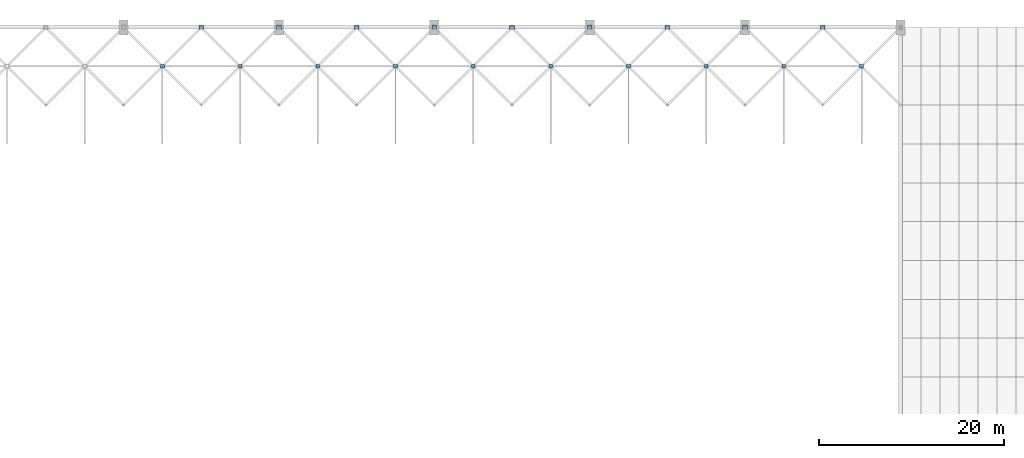
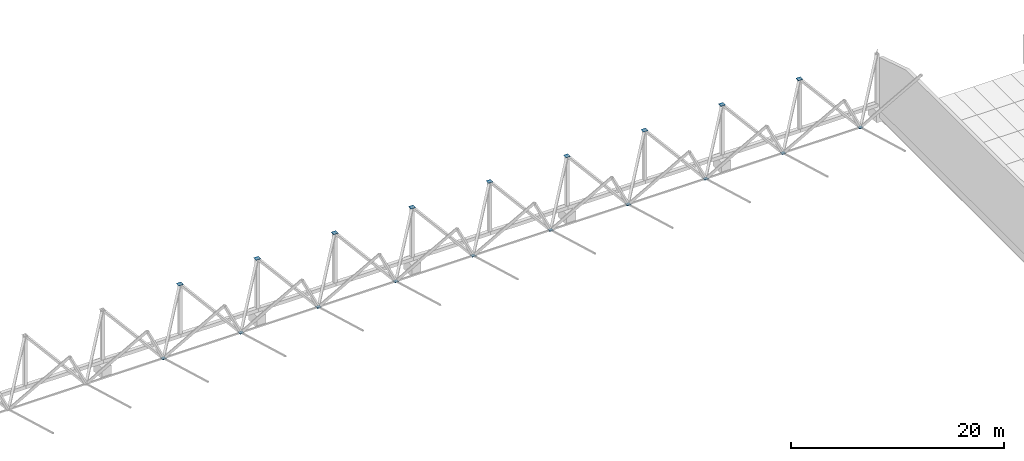
# One storey, part 145 of 163: 19 discrete accessories.
"""IFC4 building model written with IfcOpenShell, lengths in metres."""

from ifc_helpers import new_model, si_unit, direction, frame, origin, origin_2d, place, context, subcontext, project, spatial, rectangle, extrude, material, layer, layer_set, type_object, element, save


model = new_model("IFC4")

# Units and contexts
model_context = context("Model", 3, precision=1e-05, world=origin(), true_north=direction((0.0, 1.0)))
body_context = subcontext(model_context, "Body", "Model", "MODEL_VIEW")
ifc_project = project(units=[si_unit("LENGTHUNIT", "METRE"), si_unit("AREAUNIT", "SQUARE_METRE"), si_unit("VOLUMEUNIT", "CUBIC_METRE"), si_unit("PLANEANGLEUNIT", "RADIAN"), si_unit("MASSUNIT", "GRAM", prefix="KILO")], contexts=[model_context])

# Site, building, storey
site_placement = place(None, origin())
site = spatial("IfcSite", under=ifc_project, at=site_placement, CompositionType="ELEMENT")
building_placement = place(site_placement, origin())
building = spatial("IfcBuilding", under=site, at=building_placement, Name="Rain Tree Exposition and Congress Centre", CompositionType="ELEMENT")
storey_placement = place(building_placement, frame((0.0, 0.0, 10.5)))
storey = spatial("IfcBuildingStorey", under=building, at=storey_placement, Name="L02", CompositionType="ELEMENT", Elevation=10.5)

# Discrete accessories
ifc_material_1 = material(Name="Steel plate S355J2", Category="steel")
ifc_layer_1 = layer(ifc_material_1, 0.02001953125)
ifc_layer_set_1 = layer_set([ifc_layer_1], Name="Steel plate S355J2")
discrete_accessory_type_1 = type_object("IfcDiscreteAccessoryType", Name="Brace node plate 400x400x20", PredefinedType="BRACKET", material=ifc_layer_set_1)
for number, where, z_axis, x_axis, name in (
    (1, (46.199951171875, 197.39990234375, 2.863525390625), (0.0, 0.0, 1.0), (1.0, 0.0, 0.0), "Brace node plate 400"),
    (2, (54.60009765625, 197.39990234375, 2.863525390625), (0.0, 0.0, 1.0), (1.0, 0.0, 0.0), "Brace node plate 400"),
    (3, (63.0, 197.39990234375, 2.863525390625), (0.0, 0.0, 1.0), (1.0, 0.0, 0.0), "Brace node plate 400"),
    (4, (71.39990234375, 197.39990234375, 2.863525390625), (0.0, 0.0, 1.0), (1.0, 0.0, 0.0), "Brace node plate 400"),
    (5, (79.800048828125, 197.39990234375, 2.863525390625), (0.0, 0.0, 1.0), (1.0, 0.0, 0.0), "Brace node plate 400"),
    (6, (88.199951171875, 197.39990234375, 2.863525390625), (0.0, 0.0, 1.0), (1.0, 0.0, 0.0), "Brace node plate 400"),
    (7, (96.60009765625, 197.39990234375, 2.863525390625), (0.0, 0.0, 1.0), (1.0, 0.0, 0.0), "Brace node plate 400"),
    (8, (105.0, 197.39990234375, 2.863525390625), (0.0, 0.0, 1.0), (1.0, 0.0, 0.0), "Brace node plate 400"),
    (9, (113.39990234375, 197.39990234375, 2.863525390625), (0.0, 0.0, 1.0), (1.0, 0.0, 0.0), "Brace node plate 400"),
    (10, (121.800048828125, 197.39990234375, 2.863525390625), (0.0, 0.0, 1.0), (1.0, 0.0, 0.0), "Brace node plate 400"),
):
    element("IfcDiscreteAccessory", number, at=place(storey_placement, frame(where, z_axis=z_axis, x_axis=x_axis)), inside=storey, type_object=discrete_accessory_type_1, Name=name, PredefinedType="BRACKET", context=body_context, shape_type="SweptSolid", body=[
        extrude(rectangle(XDim=0.39990234375, YDim=0.39990234375, at=origin_2d()), origin(), (0.0, 0.0, 1.0), 0.02001953125),
    ])
ifc_material_2 = material(Name="Steel plate S355J2", Category="steel")
ifc_layer_2 = layer(ifc_material_2, 0.02001953125)
ifc_layer_set_2 = layer_set([ifc_layer_2], Name="Steel plate S355J2")
discrete_accessory_type_2 = type_object("IfcDiscreteAccessoryType", Name="Brace node plate 500x500x20", PredefinedType="BRACKET", material=ifc_layer_set_2)
for number, where, z_axis, x_axis, name in (
    (11, (50.39990234375, 201.60009765625, 7.340087890625), (0.0, 0.0, 1.0), (1.0, 0.0, 0.0), "Brace node plate 500"),
    (12, (58.800048828125, 201.60009765625, 7.340087890625), (0.0, 0.0, 1.0), (1.0, 0.0, 0.0), "Brace node plate 500"),
    (13, (67.199951171875, 201.60009765625, 7.340087890625), (0.0, 0.0, 1.0), (1.0, 0.0, 0.0), "Brace node plate 500"),
    (14, (75.60009765625, 201.60009765625, 7.340087890625), (0.0, 0.0, 1.0), (1.0, 0.0, 0.0), "Brace node plate 500"),
    (15, (84.0, 201.60009765625, 7.340087890625), (0.0, 0.0, 1.0), (1.0, 0.0, 0.0), "Brace node plate 500"),
    (16, (92.39990234375, 201.60009765625, 7.340087890625), (0.0, 0.0, 1.0), (1.0, 0.0, 0.0), "Brace node plate 500"),
    (17, (100.800048828125, 201.60009765625, 7.340087890625), (0.0, 0.0, 1.0), (1.0, 0.0, 0.0), "Brace node plate 500"),
    (18, (109.199951171875, 201.60009765625, 7.340087890625), (0.0, 0.0, 1.0), (1.0, 0.0, 0.0), "Brace node plate 500"),
    (19, (117.60009765625, 201.60009765625, 7.340087890625), (0.0, 0.0, 1.0), (1.0, 0.0, 0.0), "Brace node plate 500"),
):
    element("IfcDiscreteAccessory", number, at=place(storey_placement, frame(where, z_axis=z_axis, x_axis=x_axis)), inside=storey, type_object=discrete_accessory_type_2, Name=name, PredefinedType="BRACKET", context=body_context, shape_type="SweptSolid", body=[
        extrude(rectangle(XDim=0.5, YDim=0.5, at=origin_2d()), origin(), (0.0, 0.0, 1.0), 0.02001953125),
    ])

save(model, "model.ifc")
